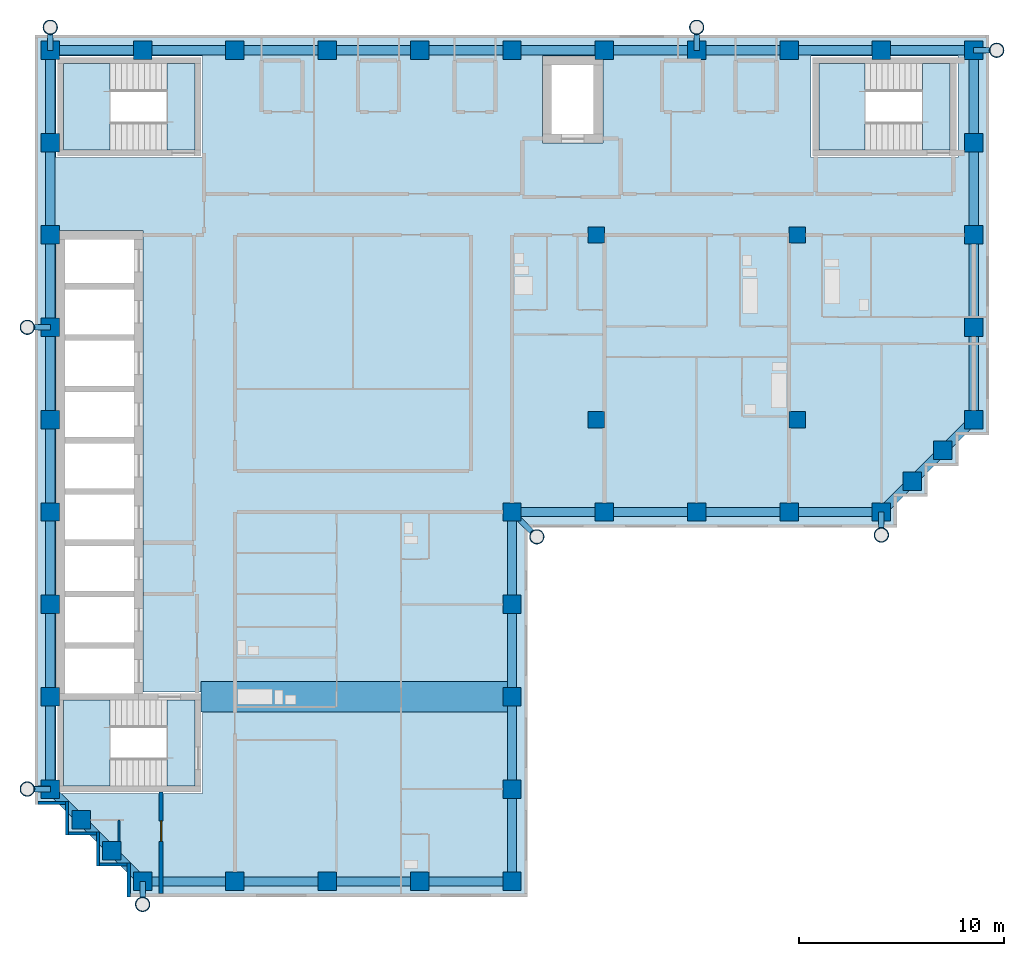
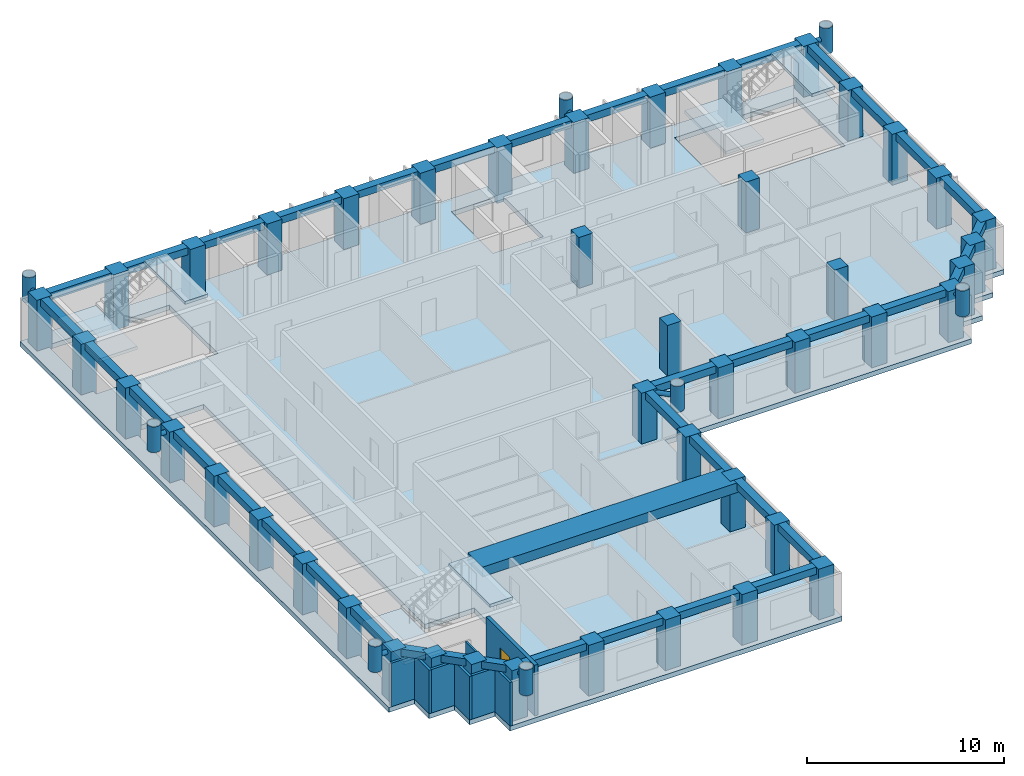
# One storey, part 1 of 9: 44 columns, 41 beams, 16 members, 8 walls, 7 slabs, 1 door, 1 opening, 3 elements without a shape of their own.
"""IFC4 building model written with IfcOpenShell, lengths in metres."""

from ifc_helpers import new_model, si_unit, direction, frame, frame_2d, origin, origin_2d, place, context, subcontext, project, spatial, polyline, rectangle, hollow_circle, outline, extrude, material, layer, layer_set, material_profile, profile_set, type_object, element, fill, aggregate, save


model = new_model("IFC4")

# Units and contexts
model_context = context("Model", 3, precision=1e-05, world=origin(), true_north=direction((0.0, 1.0)))
body_context = subcontext(model_context, "Body", "Model", "MODEL_VIEW")
ifc_project = project(units=[si_unit("LENGTHUNIT", "METRE"), si_unit("AREAUNIT", "SQUARE_METRE"), si_unit("VOLUMEUNIT", "CUBIC_METRE"), si_unit("PLANEANGLEUNIT", "RADIAN"), si_unit("MASSUNIT", "GRAM", prefix="KILO")], contexts=[model_context])

# Site, building, storey
site_placement = place(None, origin())
site = spatial("IfcSite", under=ifc_project, at=site_placement, CompositionType="ELEMENT")
building_placement = place(site_placement, origin())
building = spatial("IfcBuilding", under=site, at=building_placement, Name="Firuza Court", CompositionType="ELEMENT")
storey_placement = place(building_placement, frame((0.0, 0.0, 254.60009765625)))
storey = spatial("IfcBuildingStorey", under=building, at=storey_placement, Name="L66", CompositionType="ELEMENT", Elevation=254.60009765625)

# Columns
ifc_material_1 = material(Name="Concrete C60/75", Category="concrete")
ifc_material_profile_1 = material_profile(ifc_material_1, rectangle(XDim=0.800048828125, YDim=0.800048828125, at=origin_2d()), Name="RC 800x800")
ifc_profile_set_1 = profile_set([ifc_material_profile_1], Name="Concrete C60/75")
column_type_1 = type_object("IfcColumnType", Name="Damper support column RC 800x800 C60/75", PredefinedType="COLUMN", material=ifc_profile_set_1)
for number, where, z_axis, x_axis, name in (
    (1, (26.60009765625, 40.5, -0.300048828125), (0.0, 0.0, 1.0), (1.0, 0.0, 0.0), "Damper support column L66"),
    (2, (36.39990234375, 40.5, -0.300048828125), (0.0, 0.0, 1.0), (1.0, 0.0, 0.0), "Damper support column L66"),
    (3, (26.60009765625, 49.5, -0.300048828125), (0.0, 0.0, 1.0), (1.0, 0.0, 0.0), "Damper support column L66"),
    (4, (36.39990234375, 49.5, -0.300048828125), (0.0, 0.0, 1.0), (1.0, 0.0, 0.0), "Damper support column L66"),
):
    element("IfcColumn", number, at=place(storey_placement, frame(where, z_axis=z_axis, x_axis=x_axis)), inside=storey, type_object=column_type_1, Name=name, PredefinedType="COLUMN", context=body_context, shape_type="SweptSolid", body=[
        extrude(rectangle(XDim=0.800048828125, YDim=0.800048828125, at=origin_2d()), origin(), (0.0, 0.0, 1.0), 3.449951171875),
    ])
ifc_material_2 = material(Name="Concrete C50/60", Category="concrete")
ifc_material_profile_2 = material_profile(ifc_material_2, rectangle(XDim=0.89990234375, YDim=0.89990234375, at=origin_2d()), Name="RC 900x900")
ifc_profile_set_2 = profile_set([ifc_material_profile_2], Name="Concrete C50/60")
column_type_2 = type_object("IfcColumnType", Name="Tube column RC 900x900 C50/60", PredefinedType="COLUMN", material=ifc_profile_set_2)
for number, where, z_axis, x_axis, name in (
    (5, (4.5, 18.0, -0.300048828125), (0.0, 0.0, 1.0), (1.0, 0.0, 0.0), "Column C-2H L66"),
    (6, (9.0, 18.0, -0.300048828125), (0.0, 0.0, 1.0), (1.0, 0.0, 0.0), "Column C-3H L66"),
    (7, (13.5, 18.0, -0.300048828125), (0.0, 0.0, 1.0), (1.0, 0.0, 0.0), "Column C-4H L66"),
    (8, (18.0, 18.0, -0.300048828125), (0.0, 0.0, 1.0), (1.0, 0.0, 0.0), "Column C-5H L66"),
    (9, (22.5, 18.0, -0.300048828125), (0.0, 0.0, 1.0), (1.0, 0.0, 0.0), "Column C-6H L66"),
    (10, (3.0, 19.5, -0.300048828125), (0.0, 0.0, 1.0), (1.0, 0.0, 0.0), "Column C-SA1 L66"),
    (11, (1.5, 21.0, -0.300048828125), (0.0, 0.0, 1.0), (1.0, 0.0, 0.0), "Column C-SA2 L66"),
    (12, (0.0, 22.5, -0.300048828125), (0.0, 0.0, 1.0), (1.0, 0.0, 0.0), "Column C-1J L66"),
    (13, (22.5, 22.5, -0.300048828125), (0.0, 0.0, 1.0), (1.0, 0.0, 0.0), "Column C-6J L66"),
    (14, (0.0, 27.0, -0.300048828125), (0.0, 0.0, 1.0), (1.0, 0.0, 0.0), "Column C-1K L66"),
    (15, (22.5, 27.0, -0.300048828125), (0.0, 0.0, 1.0), (1.0, 0.0, 0.0), "Column C-6K L66"),
    (16, (0.0, 31.5, -0.300048828125), (0.0, 0.0, 1.0), (1.0, 0.0, 0.0), "Column C-1L L66"),
    (17, (22.5, 31.5, -0.300048828125), (0.0, 0.0, 1.0), (1.0, 0.0, 0.0), "Column C-6L L66"),
    (18, (0.0, 36.0, -0.300048828125), (0.0, 0.0, 1.0), (1.0, 0.0, 0.0), "Column C-1M L66"),
    (19, (22.5, 36.0, -0.300048828125), (0.0, 0.0, 1.0), (1.0, 0.0, 0.0), "Column C-6M L66"),
    (20, (27.0, 36.0, -0.300048828125), (0.0, 0.0, 1.0), (1.0, 0.0, 0.0), "Column C-7M L66"),
    (21, (31.5, 36.0, -0.300048828125), (0.0, 0.0, 1.0), (1.0, 0.0, 0.0), "Column C-8M L66"),
    (22, (36.0, 36.0, -0.300048828125), (0.0, 0.0, 1.0), (1.0, 0.0, 0.0), "Column C-9M L66"),
    (23, (40.5, 36.0, -0.300048828125), (0.0, 0.0, 1.0), (1.0, 0.0, 0.0), "Column C-10M L66"),
    (24, (42.0, 37.5, -0.300048828125), (0.0, 0.0, 1.0), (1.0, 0.0, 0.0), "Column C-SA3 L66"),
    (25, (43.5, 39.0, -0.300048828125), (0.0, 0.0, 1.0), (1.0, 0.0, 0.0), "Column C-SA4 L66"),
    (26, (0.0, 40.5, -0.300048828125), (0.0, 0.0, 1.0), (1.0, 0.0, 0.0), "Column C-1N L66"),
    (27, (45.0, 40.5, -0.300048828125), (0.0, 0.0, 1.0), (1.0, 0.0, 0.0), "Column C-11N L66"),
    (28, (0.0, 45.0, -0.300048828125), (0.0, 0.0, 1.0), (1.0, 0.0, 0.0), "Column C-1P L66"),
    (29, (45.0, 45.0, -0.300048828125), (0.0, 0.0, 1.0), (1.0, 0.0, 0.0), "Column C-11P L66"),
    (30, (0.0, 49.5, -0.300048828125), (0.0, 0.0, 1.0), (1.0, 0.0, 0.0), "Column C-1Q L66"),
    (31, (45.0, 49.5, -0.300048828125), (0.0, 0.0, 1.0), (1.0, 0.0, 0.0), "Column C-11Q L66"),
    (32, (0.0, 54.0, -0.300048828125), (0.0, 0.0, 1.0), (1.0, 0.0, 0.0), "Column C-1R L66"),
    (33, (45.0, 54.0, -0.300048828125), (0.0, 0.0, 1.0), (1.0, 0.0, 0.0), "Column C-11R L66"),
    (34, (0.0, 58.5, -0.300048828125), (0.0, 0.0, 1.0), (1.0, 0.0, 0.0), "Column C-1S L66"),
    (35, (4.5, 58.5, -0.300048828125), (0.0, 0.0, 1.0), (1.0, 0.0, 0.0), "Column C-2S L66"),
    (36, (9.0, 58.5, -0.300048828125), (0.0, 0.0, 1.0), (1.0, 0.0, 0.0), "Column C-3S L66"),
    (37, (13.5, 58.5, -0.300048828125), (0.0, 0.0, 1.0), (1.0, 0.0, 0.0), "Column C-4S L66"),
    (38, (18.0, 58.5, -0.300048828125), (0.0, 0.0, 1.0), (1.0, 0.0, 0.0), "Column C-5S L66"),
    (39, (22.5, 58.5, -0.300048828125), (0.0, 0.0, 1.0), (1.0, 0.0, 0.0), "Column C-6S L66"),
    (40, (27.0, 58.5, -0.300048828125), (0.0, 0.0, 1.0), (1.0, 0.0, 0.0), "Column C-7S L66"),
    (41, (31.5, 58.5, -0.300048828125), (0.0, 0.0, 1.0), (1.0, 0.0, 0.0), "Column C-8S L66"),
    (42, (36.0, 58.5, -0.300048828125), (0.0, 0.0, 1.0), (1.0, 0.0, 0.0), "Column C-9S L66"),
    (43, (40.5, 58.5, -0.300048828125), (0.0, 0.0, 1.0), (1.0, 0.0, 0.0), "Column C-10S L66"),
    (44, (45.0, 58.5, -0.300048828125), (0.0, 0.0, 1.0), (1.0, 0.0, 0.0), "Column C-11S L66"),
):
    element("IfcColumn", number, at=place(storey_placement, frame(where, z_axis=z_axis, x_axis=x_axis)), inside=storey, type_object=column_type_2, Name=name, PredefinedType="COLUMN", context=body_context, shape_type="SweptSolid", body=[
        extrude(rectangle(XDim=0.89990234375, YDim=0.89990234375, at=origin_2d()), origin(), (0.0, 0.0, 1.0), 3.449951171875),
    ])

# Beam
ifc_material_3 = material(Name="Concrete C40/50", Category="concrete")
ifc_material_profile_3 = material_profile(ifc_material_3, rectangle(XDim=1.5, YDim=0.60009765625, at=origin_2d()), Name="RC 1500x600")
ifc_profile_set_3 = profile_set([ifc_material_profile_3], Name="Concrete C40/50")
beam_type_1 = type_object("IfcBeamType", Name="Band beam RC 1500x600 C40/50", PredefinedType="BEAM", material=ifc_profile_set_3)
beam_1_placement = place(storey_placement, frame((22.5, 27.0, 2.849853515625), z_axis=(-1.0, 0.0, 0.0), x_axis=(0.0, -1.0, 0.0)))
element("IfcBeam", 45, at=beam_1_placement, inside=storey, type_object=beam_type_1, Name="Band beam FB3 level L67", PredefinedType="BEAM", context=body_context, shape_type="SweptSolid", body=[
    extrude(rectangle(XDim=1.5, YDim=0.60009765625, at=origin_2d()), origin(), (0.0, 0.0, 1.0), 15.14990234375),
])

# Members
ifc_material_4 = material(Name="Steel S355", Category="steel")
ifc_material_profile_4 = material_profile(ifc_material_4, hollow_circle(Radius=0.35546875, WallThickness=0.030029296875, at=origin_2d()), Name="CHS 711x30")
ifc_profile_set_4 = profile_set([ifc_material_profile_4], Name="Steel S355")
member_type_1 = type_object("IfcMemberType", Name="Diagrid node CHS 711x30 S355", PredefinedType="USERDEFINED", material=ifc_profile_set_4)
for number, where, z_axis, x_axis, name in (
    (46, (-1.1201171875, 22.5, 2.099853515625), (0.0, 0.0, 1.0), (1.0, 0.0, 0.0), "Diagrid node level L66"),
    (47, (-1.1201171875, 45.0, 2.099853515625), (0.0, 0.0, 1.0), (1.0, 0.0, 0.0), "Diagrid node level L66"),
    (48, (0.0, 59.6201171875, 2.099853515625), (0.0, 0.0, 1.0), (1.0, 0.0, 0.0), "Diagrid node level L66"),
    (49, (4.5, 16.8798828125, 2.099853515625), (0.0, 0.0, 1.0), (1.0, 0.0, 0.0), "Diagrid node level L66"),
    (50, (23.7099609375, 34.7900390625, 2.099853515625), (0.0, 0.0, 1.0), (1.0, 0.0, 0.0), "Diagrid node level L66"),
    (51, (31.5, 59.6201171875, 2.099853515625), (0.0, 0.0, 1.0), (1.0, 0.0, 0.0), "Diagrid node level L66"),
    (52, (40.5, 34.8798828125, 2.099853515625), (0.0, 0.0, 1.0), (1.0, 0.0, 0.0), "Diagrid node level L66"),
    (53, (46.1201171875, 58.5, 2.099853515625), (0.0, 0.0, 1.0), (1.0, 0.0, 0.0), "Diagrid node level L66"),
):
    element("IfcMember", number, at=place(storey_placement, frame(where, z_axis=z_axis, x_axis=x_axis)), inside=storey, type_object=member_type_1, Name=name, ObjectType="DIAGRID NODE", PredefinedType="USERDEFINED", context=body_context, shape_type="SweptSolid", body=[
        extrude(hollow_circle(Radius=0.35546875, WallThickness=0.030029296875, at=origin_2d()), origin(), (0.0, 0.0, 1.0), 1.60009765625),
    ])
ifc_material_5 = material(Name="Steel S355", Category="steel")
ifc_material_profile_5 = material_profile(ifc_material_5, hollow_circle(Radius=0.136474609375, WallThickness=0.012451171875, at=origin_2d()), Name="CHS 273x12.5")
ifc_profile_set_5 = profile_set([ifc_material_profile_5], Name="Steel S355")
member_type_2 = type_object("IfcMemberType", Name="Diagrid tie CHS 273x12.5 S355", PredefinedType="STRUT", material=ifc_profile_set_5)
for number, where, z_axis, x_axis, name in (
    (54, (0.0, 22.5, 2.89990234375), (-1.0, 0.0, 0.0), (0.0, -1.0, 0.0), "Diagrid tie level L67"),
    (55, (0.0, 45.0, 2.89990234375), (-1.0, 0.0, 0.0), (0.0, -1.0, 0.0), "Diagrid tie level L67"),
    (56, (0.0, 58.5, 2.89990234375), (0.0, 1.0, 0.0), (-1.0, 0.0, 0.0), "Diagrid tie level L67"),
    (57, (4.5, 18.0, 2.89990234375), (0.0, -1.0, 0.0), (1.0, 0.0, 0.0), "Diagrid tie level L67"),
):
    element("IfcMember", number, at=place(storey_placement, frame(where, z_axis=z_axis, x_axis=x_axis)), inside=storey, type_object=member_type_2, Name=name, PredefinedType="STRUT", context=body_context, shape_type="SweptSolid", body=[
        extrude(hollow_circle(Radius=0.136474609375, WallThickness=0.012451171875, at=origin_2d()), origin(), (0.0, 0.0, 1.0), 1.1201171875),
    ])
member_placement = place(storey_placement, frame((22.5, 36.0, 2.89990234375), z_axis=(0.707106781187, -0.707106781187, 0.0), x_axis=(0.707106781187, 0.707106781187, 0.0)))
element("IfcMember", 58, at=member_placement, inside=storey, type_object=member_type_2, Name="Diagrid tie level L67", PredefinedType="STRUT", context=body_context, shape_type="SweptSolid", body=[
    extrude(hollow_circle(Radius=0.136474609375, WallThickness=0.012451171875, at=origin_2d()), origin(), (0.0, 0.0, 1.0), 1.711181640625),
])
for number, where, z_axis, x_axis, name in (
    (59, (31.5, 58.5, 2.89990234375), (0.0, 1.0, 0.0), (-1.0, 0.0, 0.0), "Diagrid tie level L67"),
    (60, (40.5, 36.0, 2.89990234375), (0.0, -1.0, 0.0), (1.0, 0.0, 0.0), "Diagrid tie level L67"),
    (61, (45.0, 58.5, 2.89990234375), (1.0, 0.0, 0.0), (0.0, 1.0, 0.0), "Diagrid tie level L67"),
):
    element("IfcMember", number, at=place(storey_placement, frame(where, z_axis=z_axis, x_axis=x_axis)), inside=storey, type_object=member_type_2, Name=name, PredefinedType="STRUT", context=body_context, shape_type="SweptSolid", body=[
        extrude(hollow_circle(Radius=0.136474609375, WallThickness=0.012451171875, at=origin_2d()), origin(), (0.0, 0.0, 1.0), 1.1201171875),
    ])

# Beams
ifc_material_6 = material(Name="Concrete C40/50", Category="concrete")
ifc_material_profile_6 = material_profile(ifc_material_6, rectangle(XDim=0.449951171875, YDim=0.449951171875, at=origin_2d()), Name="RC 450x450")
ifc_profile_set_6 = profile_set([ifc_material_profile_6], Name="Concrete C40/50")
beam_type_2 = type_object("IfcBeamType", Name="Spandrel beam RC 450x450 C40/50", PredefinedType="BEAM", material=ifc_profile_set_6)
beam_2_placement = place(storey_placement, frame((0.0, 22.5, 2.9248046875), z_axis=(0.707106781187, -0.707106781187, 0.0), x_axis=(0.707106781187, 0.707106781187, 0.0)))
element("IfcBeam", 62, at=beam_2_placement, inside=storey, type_object=beam_type_2, Name="Spandrel beam SP17 level L67", PredefinedType="BEAM", context=body_context, shape_type="SweptSolid", body=[
    extrude(rectangle(XDim=0.449951171875, YDim=0.449951171875, at=origin_2d()), origin(), (0.0, 0.0, 1.0), 2.121337890625),
])
for number, where, z_axis, x_axis, name in (
    (63, (0.0, 27.0, 2.9248046875), (0.0, -1.0, 0.0), (1.0, 0.0, 0.0), "Spandrel beam SP17 level L67"),
    (64, (0.0, 31.5, 2.9248046875), (0.0, -1.0, 0.0), (1.0, 0.0, 0.0), "Spandrel beam SP17 level L67"),
    (65, (0.0, 36.0, 2.9248046875), (0.0, -1.0, 0.0), (1.0, 0.0, 0.0), "Spandrel beam SP17 level L67"),
    (66, (0.0, 40.5, 2.9248046875), (0.0, -1.0, 0.0), (1.0, 0.0, 0.0), "Spandrel beam SP17 level L67"),
    (67, (0.0, 45.0, 2.9248046875), (0.0, -1.0, 0.0), (1.0, 0.0, 0.0), "Spandrel beam SP17 level L67"),
    (68, (0.0, 49.5, 2.9248046875), (0.0, -1.0, 0.0), (1.0, 0.0, 0.0), "Spandrel beam SP17 level L67"),
    (69, (0.0, 54.0, 2.9248046875), (0.0, -1.0, 0.0), (1.0, 0.0, 0.0), "Spandrel beam SP17 level L67"),
    (70, (0.0, 58.5, 2.9248046875), (0.0, -1.0, 0.0), (1.0, 0.0, 0.0), "Spandrel beam SP17 level L67"),
):
    element("IfcBeam", number, at=place(storey_placement, frame(where, z_axis=z_axis, x_axis=x_axis)), inside=storey, type_object=beam_type_2, Name=name, PredefinedType="BEAM", context=body_context, shape_type="SweptSolid", body=[
        extrude(rectangle(XDim=0.449951171875, YDim=0.449951171875, at=origin_2d()), origin(), (0.0, 0.0, 1.0), 4.5),
    ])
for number, where, z_axis, x_axis, name in (
    (71, (1.5, 21.0, 2.9248046875), (0.707106781187, -0.707106781187, 0.0), (0.707106781187, 0.707106781187, 0.0), "Spandrel beam SP17 level L67"),
    (72, (3.0, 19.5, 2.9248046875), (0.707106781187, -0.707106781187, 0.0), (0.707106781187, 0.707106781187, 0.0), "Spandrel beam SP17 level L67"),
):
    element("IfcBeam", number, at=place(storey_placement, frame(where, z_axis=z_axis, x_axis=x_axis)), inside=storey, type_object=beam_type_2, Name=name, PredefinedType="BEAM", context=body_context, shape_type="SweptSolid", body=[
        extrude(rectangle(XDim=0.449951171875, YDim=0.449951171875, at=origin_2d()), origin(), (0.0, 0.0, 1.0), 2.121337890625),
    ])
for number, where, z_axis, x_axis, name in (
    (73, (4.5, 18.0, 2.9248046875), (1.0, 0.0, 0.0), (0.0, 1.0, 0.0), "Spandrel beam SP17 level L67"),
    (74, (4.5, 58.5, 2.9248046875), (-1.0, 0.0, 0.0), (0.0, -1.0, 0.0), "Spandrel beam SP17 level L67"),
    (75, (9.0, 18.0, 2.9248046875), (1.0, 0.0, 0.0), (0.0, 1.0, 0.0), "Spandrel beam SP17 level L67"),
    (76, (9.0, 58.5, 2.9248046875), (-1.0, 0.0, 0.0), (0.0, -1.0, 0.0), "Spandrel beam SP17 level L67"),
    (77, (13.5, 18.0, 2.9248046875), (1.0, 0.0, 0.0), (0.0, 1.0, 0.0), "Spandrel beam SP17 level L67"),
    (78, (13.5, 58.5, 2.9248046875), (-1.0, 0.0, 0.0), (0.0, -1.0, 0.0), "Spandrel beam SP17 level L67"),
    (79, (18.0, 18.0, 2.9248046875), (1.0, 0.0, 0.0), (0.0, 1.0, 0.0), "Spandrel beam SP17 level L67"),
    (80, (18.0, 58.5, 2.9248046875), (-1.0, 0.0, 0.0), (0.0, -1.0, 0.0), "Spandrel beam SP17 level L67"),
    (81, (22.5, 18.0, 2.9248046875), (0.0, 1.0, 0.0), (-1.0, 0.0, 0.0), "Spandrel beam SP17 level L67"),
    (82, (22.5, 22.5, 2.9248046875), (0.0, 1.0, 0.0), (-1.0, 0.0, 0.0), "Spandrel beam SP17 level L67"),
    (83, (22.5, 27.0, 2.9248046875), (0.0, 1.0, 0.0), (-1.0, 0.0, 0.0), "Spandrel beam SP17 level L67"),
    (84, (22.5, 31.5, 2.9248046875), (0.0, 1.0, 0.0), (-1.0, 0.0, 0.0), "Spandrel beam SP17 level L67"),
    (85, (22.5, 36.0, 2.9248046875), (1.0, 0.0, 0.0), (0.0, 1.0, 0.0), "Spandrel beam SP17 level L67"),
    (86, (22.5, 58.5, 2.9248046875), (-1.0, 0.0, 0.0), (0.0, -1.0, 0.0), "Spandrel beam SP17 level L67"),
    (87, (27.0, 36.0, 2.9248046875), (1.0, 0.0, 0.0), (0.0, 1.0, 0.0), "Spandrel beam SP17 level L67"),
    (88, (27.0, 58.5, 2.9248046875), (-1.0, 0.0, 0.0), (0.0, -1.0, 0.0), "Spandrel beam SP17 level L67"),
    (89, (31.5, 36.0, 2.9248046875), (1.0, 0.0, 0.0), (0.0, 1.0, 0.0), "Spandrel beam SP17 level L67"),
    (90, (31.5, 58.5, 2.9248046875), (-1.0, 0.0, 0.0), (0.0, -1.0, 0.0), "Spandrel beam SP17 level L67"),
    (91, (36.0, 36.0, 2.9248046875), (1.0, 0.0, 0.0), (0.0, 1.0, 0.0), "Spandrel beam SP17 level L67"),
    (92, (36.0, 58.5, 2.9248046875), (-1.0, 0.0, 0.0), (0.0, -1.0, 0.0), "Spandrel beam SP17 level L67"),
):
    element("IfcBeam", number, at=place(storey_placement, frame(where, z_axis=z_axis, x_axis=x_axis)), inside=storey, type_object=beam_type_2, Name=name, PredefinedType="BEAM", context=body_context, shape_type="SweptSolid", body=[
        extrude(rectangle(XDim=0.449951171875, YDim=0.449951171875, at=origin_2d()), origin(), (0.0, 0.0, 1.0), 4.5),
    ])
beam_3_placement = place(storey_placement, frame((40.5, 36.0, 2.9248046875), z_axis=(0.707106781187, 0.707106781187, 0.0), x_axis=(-0.707106781187, 0.707106781187, 0.0)))
element("IfcBeam", 93, at=beam_3_placement, inside=storey, type_object=beam_type_2, Name="Spandrel beam SP17 level L67", PredefinedType="BEAM", context=body_context, shape_type="SweptSolid", body=[
    extrude(rectangle(XDim=0.449951171875, YDim=0.449951171875, at=origin_2d()), origin(), (0.0, 0.0, 1.0), 2.121337890625),
])
beam_4_placement = place(storey_placement, frame((40.5, 58.5, 2.9248046875), z_axis=(-1.0, 0.0, 0.0), x_axis=(0.0, -1.0, 0.0)))
element("IfcBeam", 94, at=beam_4_placement, inside=storey, type_object=beam_type_2, Name="Spandrel beam SP17 level L67", PredefinedType="BEAM", context=body_context, shape_type="SweptSolid", body=[
    extrude(rectangle(XDim=0.449951171875, YDim=0.449951171875, at=origin_2d()), origin(), (0.0, 0.0, 1.0), 4.5),
])
for number, where, z_axis, x_axis, name in (
    (95, (42.0, 37.5, 2.9248046875), (0.707106781187, 0.707106781187, 0.0), (-0.707106781187, 0.707106781187, 0.0), "Spandrel beam SP17 level L67"),
    (96, (43.5, 39.0, 2.9248046875), (0.707106781187, 0.707106781187, 0.0), (-0.707106781187, 0.707106781187, 0.0), "Spandrel beam SP17 level L67"),
):
    element("IfcBeam", number, at=place(storey_placement, frame(where, z_axis=z_axis, x_axis=x_axis)), inside=storey, type_object=beam_type_2, Name=name, PredefinedType="BEAM", context=body_context, shape_type="SweptSolid", body=[
        extrude(rectangle(XDim=0.449951171875, YDim=0.449951171875, at=origin_2d()), origin(), (0.0, 0.0, 1.0), 2.121337890625),
    ])
for number, where, z_axis, x_axis, name in (
    (97, (45.0, 40.5, 2.9248046875), (0.0, 1.0, 0.0), (-1.0, 0.0, 0.0), "Spandrel beam SP17 level L67"),
    (98, (45.0, 45.0, 2.9248046875), (0.0, 1.0, 0.0), (-1.0, 0.0, 0.0), "Spandrel beam SP17 level L67"),
    (99, (45.0, 49.5, 2.9248046875), (0.0, 1.0, 0.0), (-1.0, 0.0, 0.0), "Spandrel beam SP17 level L67"),
    (100, (45.0, 54.0, 2.9248046875), (0.0, 1.0, 0.0), (-1.0, 0.0, 0.0), "Spandrel beam SP17 level L67"),
    (101, (45.0, 58.5, 2.9248046875), (-1.0, 0.0, 0.0), (0.0, -1.0, 0.0), "Spandrel beam SP17 level L67"),
):
    element("IfcBeam", number, at=place(storey_placement, frame(where, z_axis=z_axis, x_axis=x_axis)), inside=storey, type_object=beam_type_2, Name=name, PredefinedType="BEAM", context=body_context, shape_type="SweptSolid", body=[
        extrude(rectangle(XDim=0.449951171875, YDim=0.449951171875, at=origin_2d()), origin(), (0.0, 0.0, 1.0), 4.5),
    ])

# Slab
ifc_material_7 = material(Name="Concrete C40/50", Category="concrete")
ifc_layer_1 = layer(ifc_material_7, 0.300048828125)
ifc_layer_set_1 = layer_set([ifc_layer_1], Name="Concrete C40/50")
slab_type_1 = type_object("IfcSlabType", Name="Floor slab 300 C40/50", PredefinedType="FLOOR", material=ifc_layer_set_1)
slab_1_placement = place(storey_placement, frame((0.0, 0.0, -0.300048828125)))
element("IfcSlab", 102, at=slab_1_placement, inside=storey, type_object=slab_type_1, Name="Floor slab L66", PredefinedType="FLOOR", context=body_context, shape_type="SweptSolid", body=[
    extrude(outline(polyline([(-0.75, 59.25), (45.75, 59.25), (45.75, 39.75), (44.25, 39.75), (44.25, 38.25), (42.75, 38.25), (42.75, 36.75), (41.25, 36.75), (41.25, 35.25), (23.25, 35.25), (23.25, 17.25), (3.75, 17.25), (3.75, 18.75), (2.25, 18.75), (2.25, 20.25), (0.75, 20.25), (0.75, 21.75), (-0.75, 21.75), (-0.75, 59.25)]), holes=[polyline([(0.27490234375, 34.27490234375), (0.27490234375, 32.22509765625), (0.27490234375, 31.77490234375), (0.27490234375, 29.72509765625), (0.27490234375, 29.27490234375), (0.27490234375, 27.22509765625), (0.27490234375, 26.77490234375), (0.27490234375, 22.27490234375), (7.425048828125, 22.27490234375), (7.425048828125, 27.22509765625), (4.52490234375, 27.22509765625), (4.52490234375, 29.27490234375), (4.52490234375, 29.72509765625), (4.52490234375, 31.77490234375), (4.52490234375, 32.22509765625), (4.52490234375, 34.27490234375), (4.52490234375, 34.72509765625), (4.52490234375, 36.77490234375), (4.52490234375, 37.22509765625), (4.52490234375, 39.27490234375), (4.52490234375, 39.72509765625), (4.52490234375, 41.77490234375), (4.52490234375, 42.22509765625), (4.52490234375, 44.27490234375), (4.52490234375, 44.72509765625), (4.52490234375, 46.77490234375), (4.52490234375, 47.22509765625), (4.52490234375, 49.72509765625), (0.27490234375, 49.72509765625), (0.27490234375, 47.22509765625), (0.27490234375, 46.77490234375), (0.27490234375, 44.72509765625), (0.27490234375, 44.27490234375), (0.27490234375, 42.22509765625), (0.27490234375, 41.77490234375), (0.27490234375, 39.72509765625), (0.27490234375, 39.27490234375), (0.27490234375, 37.22509765625), (0.27490234375, 36.77490234375), (0.27490234375, 34.72509765625), (0.27490234375, 34.27490234375)]), polyline([(7.425048828125, 58.22509765625), (0.27490234375, 58.22509765625), (0.27490234375, 53.27490234375), (7.425048828125, 53.27490234375), (7.425048828125, 58.22509765625)]), polyline([(44.22509765625, 58.22509765625), (37.074951171875, 58.22509765625), (37.074951171875, 53.27490234375), (44.22509765625, 53.27490234375), (44.22509765625, 58.22509765625)]), polyline([(26.925048828125, 58.22509765625), (23.97509765625, 58.22509765625), (23.97509765625, 53.97509765625), (26.925048828125, 53.97509765625), (26.925048828125, 58.22509765625)])]), origin(), (0.0, 0.0, 1.0), 0.300048828125),
])

# Stair, slabs
ifc_material_8 = material(Name="Concrete C40/50 precast", Category="concrete")
stair_type = type_object("IfcStairType", Name="Stair 1350 x 3600 2 flights", PredefinedType="HALF_TURN_STAIR", material=ifc_material_8)
stair_1_placement = place(storey_placement, origin())
stair_1 = element("IfcStair", 103, at=stair_1_placement, inside=storey, type_object=stair_type, Name="Stair 1 L66", PredefinedType="HALF_TURN_STAIR")
ifc_material_9 = material(Name="Concrete C40/50 precast", Category="concrete")
ifc_layer_2 = layer(ifc_material_9, 0.199951171875)
ifc_layer_set_2 = layer_set([ifc_layer_2], Name="Concrete C40/50 precast")
slab_type_2 = type_object("IfcSlabType", Name="Stair landing 200", PredefinedType="LANDING", material=ifc_layer_set_2)
slab_2_placement = place(storey_placement, frame((0.0, 0.0, 1.599853515625)))
slab_2 = element("IfcSlab", 104, at=slab_2_placement, type_object=slab_type_2, Name="S1 landing 1", PredefinedType="LANDING", context=body_context, shape_type="SweptSolid", body=[
    extrude(outline(polyline([(39.699951171875, 53.64990234375), (39.699951171875, 57.85009765625), (37.449951171875, 57.85009765625), (37.449951171875, 53.64990234375), (39.699951171875, 53.64990234375)])), origin(), (0.0, 0.0, 1.0), 0.199951171875),
])
slab_3_placement = place(storey_placement, frame((0.0, 0.0, 3.39990234375)))
slab_3 = element("IfcSlab", 105, at=slab_3_placement, type_object=slab_type_2, Name="S1 landing 2", PredefinedType="LANDING", context=body_context, shape_type="SweptSolid", body=[
    extrude(outline(polyline([(43.85009765625, 53.64990234375), (43.85009765625, 57.85009765625), (42.5, 57.85009765625), (42.5, 53.64990234375), (43.85009765625, 53.64990234375)])), origin(), (0.0, 0.0, 1.0), 0.199951171875),
])
aggregate(stair_1, [slab_2, slab_3])

stair_2_placement = place(storey_placement, origin())
stair_2 = element("IfcStair", 106, at=stair_2_placement, inside=storey, type_object=stair_type, Name="Stair 2 L66", PredefinedType="HALF_TURN_STAIR")
slab_4_placement = place(storey_placement, frame((0.0, 0.0, 1.599853515625)))
slab_4 = element("IfcSlab", 107, at=slab_4_placement, type_object=slab_type_2, Name="S2 landing 1", PredefinedType="LANDING", context=body_context, shape_type="SweptSolid", body=[
    extrude(outline(polyline([(2.89990234375, 22.64990234375), (2.89990234375, 26.85009765625), (0.64990234375, 26.85009765625), (0.64990234375, 22.64990234375), (2.89990234375, 22.64990234375)])), origin(), (0.0, 0.0, 1.0), 0.199951171875),
])
slab_5_placement = place(storey_placement, frame((0.0, 0.0, 3.39990234375)))
slab_5 = element("IfcSlab", 108, at=slab_5_placement, type_object=slab_type_2, Name="S2 landing 2", PredefinedType="LANDING", context=body_context, shape_type="SweptSolid", body=[
    extrude(outline(polyline([(7.050048828125, 22.64990234375), (7.050048828125, 26.85009765625), (5.699951171875, 26.85009765625), (5.699951171875, 22.64990234375), (7.050048828125, 22.64990234375)])), origin(), (0.0, 0.0, 1.0), 0.199951171875),
])
aggregate(stair_2, [slab_4, slab_5])

stair_3_placement = place(storey_placement, origin())
stair_3 = element("IfcStair", 109, at=stair_3_placement, inside=storey, type_object=stair_type, Name="Stair 3 L66", PredefinedType="HALF_TURN_STAIR")
slab_6_placement = place(storey_placement, frame((0.0, 0.0, 1.599853515625)))
slab_6 = element("IfcSlab", 110, at=slab_6_placement, type_object=slab_type_2, Name="S3 landing 1", PredefinedType="LANDING", context=body_context, shape_type="SweptSolid", body=[
    extrude(outline(polyline([(2.89990234375, 53.64990234375), (2.89990234375, 57.85009765625), (0.64990234375, 57.85009765625), (0.64990234375, 53.64990234375), (2.89990234375, 53.64990234375)])), origin(), (0.0, 0.0, 1.0), 0.199951171875),
])
slab_7_placement = place(storey_placement, frame((0.0, 0.0, 3.39990234375)))
slab_7 = element("IfcSlab", 111, at=slab_7_placement, type_object=slab_type_2, Name="S3 landing 2", PredefinedType="LANDING", context=body_context, shape_type="SweptSolid", body=[
    extrude(outline(polyline([(7.050048828125, 53.64990234375), (7.050048828125, 57.85009765625), (5.699951171875, 57.85009765625), (5.699951171875, 53.64990234375), (7.050048828125, 53.64990234375)])), origin(), (0.0, 0.0, 1.0), 0.199951171875),
])
aggregate(stair_3, [slab_6, slab_7])

# Wall, opening, door
ifc_material_10 = material(Name="Blockwork, plastered both sides", Category="masonry")
ifc_layer_3 = layer(ifc_material_10, 0.199951171875)
ifc_layer_set_3 = layer_set([ifc_layer_3], Name="Blockwork, plastered both sides")
wall_type_1 = type_object("IfcWallType", Name="Corridor wall 200", PredefinedType="PARTITIONING", material=ifc_layer_set_3)
wall_1_placement = place(storey_placement, frame((5.39990234375, 17.39990234375, 0.0), z_axis=(0.0, 0.0, 1.0), x_axis=(0.0, 1.0, 0.0)))
wall_1 = element("IfcWall", 112, at=wall_1_placement, inside=storey, type_object=wall_type_1, Name="Corridor wall 200 L66", PredefinedType="PARTITIONING", context=body_context, shape_type="SweptSolid", body=[
    extrude(rectangle(XDim=4.9501953125, YDim=0.199951171875, at=frame_2d((2.47509765625, 0.0))), origin(), (0.0, 0.0, 1.0), 3.14990234375),
])
opening_placement = place(wall_1_placement, frame((2.550048828125, 0.0, 0.0)))
opening = element("IfcOpeningElement", 113, at=opening_placement, cuts=wall_1, Name="Opening D66012", PredefinedType="OPENING", context=body_context, shape_type="SweptSolid", body=[
    extrude(rectangle(XDim=1.0, YDim=2.10009765625, at=frame_2d((0.5, 1.050048828125))), frame((0.0, 0.11181640625, 0.0), z_axis=(0.0, -1.0, 0.0), x_axis=(1.0, 0.0, 0.0)), (0.0, 0.0, 1.0), 0.223876953125),
])
ifc_material_11 = material(Name="Timber door leaf in hardwood frame", Category="wood")
door_type = type_object("IfcDoorType", Name="Store door 1000", OperationType="SINGLE_SWING_LEFT", PredefinedType="DOOR", material=ifc_material_11)
door_placement = place(opening_placement, origin())
door = element("IfcDoor", 114, at=door_placement, inside=storey, type_object=door_type, Name="Cleaner's store door", OperationType="SINGLE_SWING_RIGHT", OverallHeight=2.10009765625, OverallWidth=1.0, PredefinedType="DOOR", context=body_context, shape_type="SweptSolid", body=[
    extrude(rectangle(XDim=1.0, YDim=2.10009765625, at=frame_2d((0.5, 1.050048828125))), frame((0.0, 0.02490234375, 0.0), z_axis=(0.0, -1.0, 0.0), x_axis=(1.0, 0.0, 0.0)), (0.0, 0.0, 1.0), 0.050048828125),
])
fill(opening, door)

# Walls
ifc_material_12 = material(Name="Timber stud partition, plasterboard both sides", Category="wood")
ifc_layer_4 = layer(ifc_material_12, 0.10009765625)
ifc_layer_set_4 = layer_set([ifc_layer_4], Name="Timber stud partition, plasterboard both sides")
wall_type_2 = type_object("IfcWallType", Name="Partition wall 100", PredefinedType="PARTITIONING", material=ifc_layer_set_4)
wall_2_placement = place(storey_placement, frame((3.35009765625, 19.949951171875, 0.0), z_axis=(0.0, 0.0, 1.0), x_axis=(0.0, 1.0, 0.0)))
element("IfcWall", 115, at=wall_2_placement, inside=storey, type_object=wall_type_2, Name="Partition wall 100 L66", PredefinedType="PARTITIONING", context=body_context, shape_type="SweptSolid", body=[
    extrude(rectangle(XDim=1.050048828125, YDim=0.10009765625, at=frame_2d((0.52490234375, 0.0))), origin(), (0.0, 0.0, 1.0), 3.14990234375),
])
ifc_material_13 = material(Name="Ceramic tile", Category="ceramic")
ifc_layer_5 = layer(ifc_material_13, 0.02001953125)
ifc_material_14 = material(Name="Mineral wool insulation", Category="insulation")
ifc_layer_6 = layer(ifc_material_14, 0.050048828125)
ifc_layer_7 = layer(ifc_material_9, 0.080078125)
ifc_layer_set_5 = layer_set([ifc_layer_5, ifc_layer_6, ifc_layer_7], Name="Concrete C40/50 precast")
wall_type_3 = type_object("IfcWallType", Name="Precast cladding wall with turquoise TILE PANEL face 150", PredefinedType="STANDARD", material=ifc_layer_set_5)
wall_3_placement = place(storey_placement, frame((-0.60009765625, 21.824951171875, 0.0), z_axis=(0.0, 0.0, 1.0), x_axis=(1.0, 0.0, 0.0)))
element("IfcWall", 116, at=wall_3_placement, inside=storey, type_object=wall_type_3, Name="Facade wall L66 S", PredefinedType="STANDARD", context=body_context, shape_type="SweptSolid", body=[
    extrude(rectangle(XDim=1.35009765625, YDim=0.14990234375, at=frame_2d((0.675048828125, 0.0))), origin(), (0.0, 0.0, 1.0), 2.699951171875),
])
wall_4_placement = place(storey_placement, frame((0.824951171875, 21.89990234375, 0.0), z_axis=(0.0, 0.0, 1.0), x_axis=(0.0, -1.0, 0.0)))
element("IfcWall", 117, at=wall_4_placement, inside=storey, type_object=wall_type_3, Name="Facade wall L66 W", PredefinedType="STANDARD", context=body_context, shape_type="SweptSolid", body=[
    extrude(rectangle(XDim=1.64990234375, YDim=0.14990234375, at=frame_2d((0.824951171875, 0.0))), origin(), (0.0, 0.0, 1.0), 2.699951171875),
])
wall_5_placement = place(storey_placement, frame((0.89990234375, 20.324951171875, 0.0), z_axis=(0.0, 0.0, 1.0), x_axis=(1.0, 0.0, 0.0)))
element("IfcWall", 118, at=wall_5_placement, inside=storey, type_object=wall_type_3, Name="Facade wall L66 S", PredefinedType="STANDARD", context=body_context, shape_type="SweptSolid", body=[
    extrude(rectangle(XDim=1.35009765625, YDim=0.14990234375, at=frame_2d((0.675048828125, 0.0))), origin(), (0.0, 0.0, 1.0), 2.699951171875),
])
wall_6_placement = place(storey_placement, frame((2.324951171875, 20.39990234375, 0.0), z_axis=(0.0, 0.0, 1.0), x_axis=(0.0, -1.0, 0.0)))
element("IfcWall", 119, at=wall_6_placement, inside=storey, type_object=wall_type_3, Name="Facade wall L66 W", PredefinedType="STANDARD", context=body_context, shape_type="SweptSolid", body=[
    extrude(rectangle(XDim=1.64990234375, YDim=0.14990234375, at=frame_2d((0.824951171875, 0.0))), origin(), (0.0, 0.0, 1.0), 2.699951171875),
])
wall_7_placement = place(storey_placement, frame((2.39990234375, 18.824951171875, 0.0), z_axis=(0.0, 0.0, 1.0), x_axis=(1.0, 0.0, 0.0)))
element("IfcWall", 120, at=wall_7_placement, inside=storey, type_object=wall_type_3, Name="Facade wall L66 S", PredefinedType="STANDARD", context=body_context, shape_type="SweptSolid", body=[
    extrude(rectangle(XDim=1.35009765625, YDim=0.14990234375, at=frame_2d((0.675048828125, 0.0))), origin(), (0.0, 0.0, 1.0), 2.699951171875),
])
wall_8_placement = place(storey_placement, frame((3.824951171875, 18.89990234375, 0.0), z_axis=(0.0, 0.0, 1.0), x_axis=(0.0, -1.0, 0.0)))
element("IfcWall", 121, at=wall_8_placement, inside=storey, type_object=wall_type_3, Name="Facade wall L66 W", PredefinedType="STANDARD", context=body_context, shape_type="SweptSolid", body=[
    extrude(rectangle(XDim=1.64990234375, YDim=0.14990234375, at=frame_2d((0.824951171875, 0.0))), origin(), (0.0, 0.0, 1.0), 2.699951171875),
])

save(model, "model.ifc")
